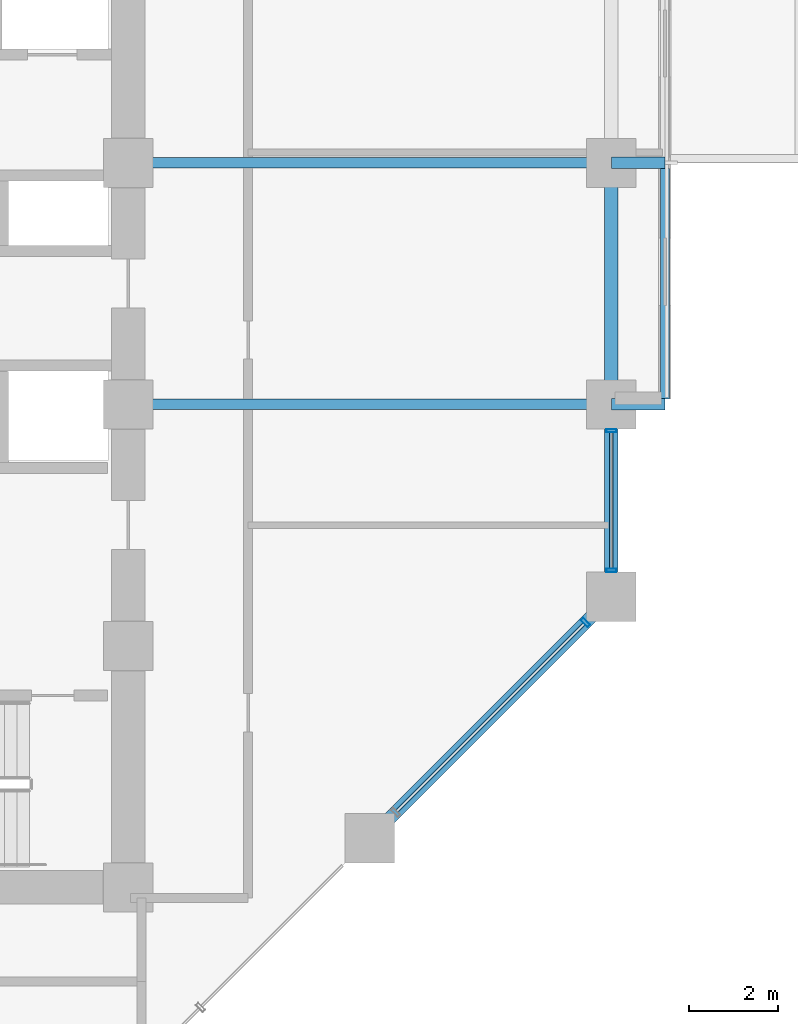
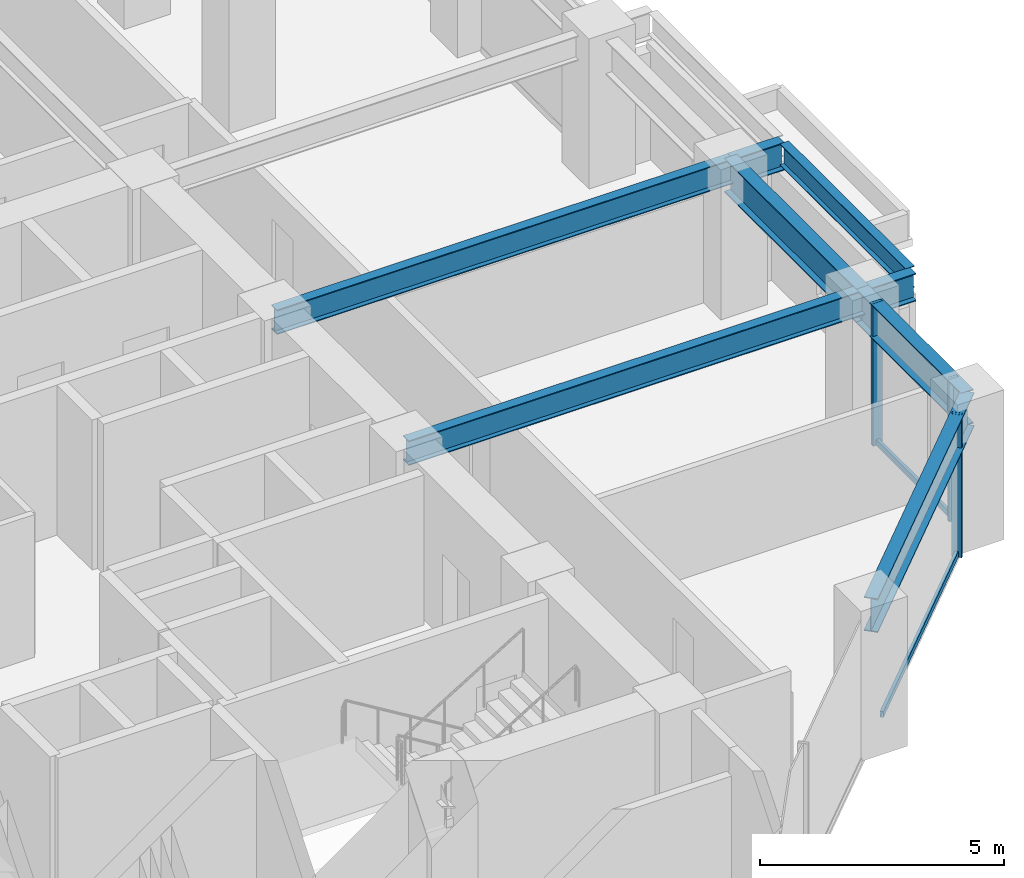
# One storey, part 8 of 25: 8 beams, 5 members, 2 elements without a shape of their own.
"""IFC4 building model written with IfcOpenShell, lengths in metres."""

from ifc_helpers import new_model, si_unit, direction, frame, origin, origin_2d, place, context, subcontext, project, spatial, hollow_rectangle, i_section, extrude, material, layer, layer_set, material_profile, profile_set, type_object, element, aggregate, save


model = new_model("IFC4")

# Units and contexts
model_context = context("Model", 3, precision=1e-05, world=origin(), true_north=direction((0.0, 1.0)))
body_context = subcontext(model_context, "Body", "Model", "MODEL_VIEW")
ifc_project = project(units=[si_unit("LENGTHUNIT", "METRE"), si_unit("AREAUNIT", "SQUARE_METRE"), si_unit("VOLUMEUNIT", "CUBIC_METRE"), si_unit("PLANEANGLEUNIT", "RADIAN"), si_unit("MASSUNIT", "GRAM", prefix="KILO")], contexts=[model_context])

# Site, building, storey
site_placement = place(None, origin())
site = spatial("IfcSite", under=ifc_project, at=site_placement, CompositionType="ELEMENT")
building_placement = place(site_placement, origin())
building = spatial("IfcBuilding", under=site, at=building_placement, Name="Surkhivell Harbour Commons", CompositionType="ELEMENT")
storey_placement = place(building_placement, frame((0.0, 0.0, 94.5)))
storey = spatial("IfcBuildingStorey", under=building, at=storey_placement, Name="L24", CompositionType="ELEMENT", Elevation=94.5)

# Beams
ifc_material_1 = material(Name="Steel S460", Category="steel")
ifc_material_profile_1 = material_profile(ifc_material_1, i_section(OverallWidth=0.256103515625, OverallDepth=0.693115234375, WebThickness=0.014404296875, FlangeThickness=0.023681640625, at=origin_2d()), Name="UB686x254x170")
ifc_profile_set_1 = profile_set([ifc_material_profile_1], Name="Steel S460")
beam_type_1 = type_object("IfcBeamType", Name="BM-CNT-686", PredefinedType="BEAM", material=ifc_profile_set_1)
for number, where, z_axis, x_axis, name in (
    (1, (21.60009765625, 0.0, 3.223388671875), (1.0, 0.0, 0.0), (0.0, 1.0, 0.0), "L24 Box Cantilever Outrigger (21.6,0.0)"),
    (2, (21.60009765625, 5.39990234375, 3.223388671875), (1.0, 0.0, 0.0), (0.0, 1.0, 0.0), "L24 Box Cantilever Outrigger (21.6,5.4)"),
):
    element("IfcBeam", number, at=place(storey_placement, frame(where, z_axis=z_axis, x_axis=x_axis)), inside=storey, type_object=beam_type_1, Name=name, PredefinedType="BEAM", context=body_context, shape_type="SweptSolid", body=[
        extrude(i_section(OverallWidth=0.256103515625, OverallDepth=0.693115234375, WebThickness=0.014404296875, FlangeThickness=0.023681640625, at=origin_2d()), origin(), (0.0, 0.0, 1.0), 1.199951171875),
    ])
ifc_material_2 = material(Name="Steel S355", Category="steel")
ifc_material_profile_2 = material_profile(ifc_material_2, i_section(OverallWidth=0.2099609375, OverallDepth=0.537109375, WebThickness=0.0107421875, FlangeThickness=0.017333984375, at=origin_2d()), Name="UB533x210x101")
ifc_profile_set_2 = profile_set([ifc_material_profile_2], Name="Steel S355")
beam_type_2 = type_object("IfcBeamType", Name="BM-GRD-533B", PredefinedType="BEAM", material=ifc_profile_set_2)
beam_1_placement = place(storey_placement, frame((22.800048828125, 0.1220703125, 3.301513671875), z_axis=(0.0, 1.0, 0.0), x_axis=(-1.0, 0.0, 0.0)))
element("IfcBeam", 3, at=beam_1_placement, inside=storey, type_object=beam_type_2, Name="L24 Box Rim Spandrel (22.8,0.0)", PredefinedType="BEAM", context=body_context, shape_type="SweptSolid", body=[
    extrude(i_section(OverallWidth=0.2099609375, OverallDepth=0.537109375, WebThickness=0.0107421875, FlangeThickness=0.017333984375, at=origin_2d()), origin(), (0.0, 0.0, 1.0), 5.156005859375),
])
ifc_material_profile_3 = material_profile(ifc_material_2, i_section(OverallWidth=0.22998046875, OverallDepth=0.616943359375, WebThickness=0.01318359375, FlangeThickness=0.022216796875, at=origin_2d()), Name="UB610x229x140")
ifc_profile_set_3 = profile_set([ifc_material_profile_3], Name="Steel S355")
beam_type_3 = type_object("IfcBeamType", Name="BM-GRD-610B", PredefinedType="BEAM", material=ifc_profile_set_3)
for number, where, z_axis, x_axis, name in (
    (4, (10.800048828125, 0.0, 3.261474609375), (1.0, 0.0, 0.0), (0.0, 1.0, 0.0), "L24 Floor Girder (10.8,0.0)"),
    (5, (10.800048828125, 5.39990234375, 3.261474609375), (1.0, 0.0, 0.0), (0.0, 1.0, 0.0), "L24 Floor Girder (10.8,5.4)"),
):
    element("IfcBeam", number, at=place(storey_placement, frame(where, z_axis=z_axis, x_axis=x_axis)), inside=storey, type_object=beam_type_3, Name=name, PredefinedType="BEAM", context=body_context, shape_type="SweptSolid", body=[
        extrude(i_section(OverallWidth=0.22998046875, OverallDepth=0.616943359375, WebThickness=0.01318359375, FlangeThickness=0.022216796875, at=origin_2d()), origin(), (0.0, 0.0, 1.0), 10.800048828125),
    ])
ifc_material_profile_4 = material_profile(ifc_material_1, i_section(OverallWidth=0.2939453125, OverallDepth=0.85107421875, WebThickness=0.01611328125, FlangeThickness=0.02685546875, at=origin_2d()), Name="UB838x292x226")
ifc_profile_set_4 = profile_set([ifc_material_profile_4], Name="Steel S460")
beam_type_4 = type_object("IfcBeamType", Name="BM-SPN-838", PredefinedType="SPANDREL", material=ifc_profile_set_4)
beam_2_placement = place(storey_placement, frame((16.199951171875, -9.699951171875, 3.14453125), z_axis=(0.707122765516, 0.707090796496, 0.0), x_axis=(-0.707090796496, 0.707122765516, 0.0)))
element("IfcBeam", 6, at=beam_2_placement, inside=storey, type_object=beam_type_4, Name="L24 Tube Spandrel (16.2,-9.7)", PredefinedType="SPANDREL", context=body_context, shape_type="SweptSolid", body=[
    extrude(i_section(OverallWidth=0.2939453125, OverallDepth=0.85107421875, WebThickness=0.01611328125, FlangeThickness=0.02685546875, at=origin_2d()), origin(), (0.0, 0.0, 1.0), 7.63671875),
])
beam_3_placement = place(storey_placement, frame((21.60009765625, -4.300048828125, 3.14453125), z_axis=(0.0, 1.0, 0.0), x_axis=(-1.0, 0.0, 0.0)))
element("IfcBeam", 7, at=beam_3_placement, inside=storey, type_object=beam_type_4, Name="L24 Tube Spandrel (21.6,-4.3)", PredefinedType="SPANDREL", context=body_context, shape_type="SweptSolid", body=[
    extrude(i_section(OverallWidth=0.2939453125, OverallDepth=0.85107421875, WebThickness=0.01611328125, FlangeThickness=0.02685546875, at=origin_2d()), origin(), (0.0, 0.0, 1.0), 4.300048828125),
])
beam_4_placement = place(storey_placement, frame((21.60009765625, 0.0, 3.14453125), z_axis=(0.0, 1.0, 0.0), x_axis=(-1.0, 0.0, 0.0)))
element("IfcBeam", 8, at=beam_4_placement, inside=storey, type_object=beam_type_4, Name="L24 Tube Spandrel (21.6,0.0)", PredefinedType="SPANDREL", context=body_context, shape_type="SweptSolid", body=[
    extrude(i_section(OverallWidth=0.2939453125, OverallDepth=0.85107421875, WebThickness=0.01611328125, FlangeThickness=0.02685546875, at=origin_2d()), origin(), (0.0, 0.0, 1.0), 5.39990234375),
])

# Curtain wall, member
ifc_material_3 = material(Name="Anodised pale-metal aluminium and insulated glazing", Category="aluminium")
ifc_layer = layer(ifc_material_3, 0.205078125)
ifc_layer_set = layer_set([ifc_layer], Name="Anodised pale-metal aluminium and insulated glazing")
curtain_wall_type = type_object("IfcCurtainWallType", Name="CW-SYS-Z2", PredefinedType="NOTDEFINED", material=ifc_layer_set)
curtain_wall_1_placement = place(storey_placement, origin())
curtain_wall_1 = element("IfcCurtainWall", 9, at=curtain_wall_1_placement, inside=storey, type_object=curtain_wall_type, Name="L24 Curtain Wall CW-L24-E01", PredefinedType="NOTDEFINED")
ifc_material_4 = material(Name="Anodised pale-metal aluminium alloy 6063-T6", Category="aluminium")
ifc_material_profile_5 = material_profile(ifc_material_4, hollow_rectangle(XDim=0.074951171875, YDim=0.219970703125, WallThickness=0.00390625, at=origin_2d()), Name="ALU-MULL-75x220")
ifc_profile_set_5 = profile_set([ifc_material_profile_5], Name="Anodised pale-metal aluminium alloy 6063-T6")
member_type_1 = type_object("IfcMemberType", Name="CWM-220", PredefinedType="MULLION", material=ifc_profile_set_5)
member_1_placement = place(storey_placement, frame((21.021728515625, -4.878173828125, 0.0), z_axis=(0.0, 0.0, 1.0), x_axis=(0.707106781187, 0.707106781187, 0.0)))
member_1 = element("IfcMember", 10, at=member_1_placement, type_object=member_type_1, Name="CW-Z2 mullion 6", PredefinedType="MULLION", context=body_context, shape_type="SweptSolid", body=[
    extrude(hollow_rectangle(XDim=0.074951171875, YDim=0.219970703125, WallThickness=0.00390625, at=origin_2d()), origin(), (0.0, 0.0, 1.0), 3.570068359375),
])

# Curtain wall, members
curtain_wall_2_placement = place(storey_placement, origin())
curtain_wall_2 = element("IfcCurtainWall", 11, at=curtain_wall_2_placement, inside=storey, type_object=curtain_wall_type, Name="L24 Curtain Wall CW-L24-E02R1", PredefinedType="NOTDEFINED")
member_2_placement = place(storey_placement, frame((21.60009765625, -3.71044921875, 0.0), z_axis=(0.0, 0.0, 1.0), x_axis=(0.0, 1.0, 0.0)))
member_2 = element("IfcMember", 12, at=member_2_placement, type_object=member_type_1, Name="CW-Z2 mullion 1", PredefinedType="MULLION", context=body_context, shape_type="SweptSolid", body=[
    extrude(hollow_rectangle(XDim=0.074951171875, YDim=0.219970703125, WallThickness=0.00390625, at=origin_2d()), origin(), (0.0, 0.0, 1.0), 3.570068359375),
])
member_3_placement = place(storey_placement, frame((21.60009765625, -0.589599609375, 0.0), z_axis=(0.0, 0.0, 1.0), x_axis=(0.0, 1.0, 0.0)))
member_3 = element("IfcMember", 13, at=member_3_placement, type_object=member_type_1, Name="CW-Z2 mullion 2", PredefinedType="MULLION", context=body_context, shape_type="SweptSolid", body=[
    extrude(hollow_rectangle(XDim=0.074951171875, YDim=0.219970703125, WallThickness=0.00390625, at=origin_2d()), origin(), (0.0, 0.0, 1.0), 3.570068359375),
])

# Member
ifc_material_profile_6 = material_profile(ifc_material_4, hollow_rectangle(XDim=0.074951171875, YDim=0.14990234375, WallThickness=0.00341796875, at=origin_2d()), Name="ALU-TRAN-75x150")
ifc_profile_set_6 = profile_set([ifc_material_profile_6], Name="Anodised pale-metal aluminium alloy 6063-T6")
member_type_2 = type_object("IfcMemberType", Name="CWT-150", PredefinedType="USERDEFINED", material=ifc_profile_set_6)
member_4_placement = place(storey_placement, frame((16.8046875, -9.09521484375, 0.074951171875), z_axis=(0.707127378829, 0.707086182944, 0.0), x_axis=(-0.707086182944, 0.707127378829, 0.0)))
member_4 = element("IfcMember", 14, at=member_4_placement, type_object=member_type_2, Name="CW-Z2 transom 5.1", ObjectType="TRANSOM", PredefinedType="USERDEFINED", context=body_context, shape_type="SweptSolid", body=[
    extrude(hollow_rectangle(XDim=0.074951171875, YDim=0.14990234375, WallThickness=0.00341796875, at=origin_2d()), origin(), (0.0, 0.0, 1.0), 5.92626953125),
])

aggregate(curtain_wall_1, [member_1, member_4])

member_5_placement = place(storey_placement, frame((21.60009765625, -3.673095703125, 0.074951171875), z_axis=(0.0, 1.0, 0.0), x_axis=(-1.0, 0.0, 0.0)))
member_5 = element("IfcMember", 15, at=member_5_placement, type_object=member_type_2, Name="CW-Z2 transom 1.1", ObjectType="TRANSOM", PredefinedType="USERDEFINED", context=body_context, shape_type="SweptSolid", body=[
    extrude(hollow_rectangle(XDim=0.074951171875, YDim=0.14990234375, WallThickness=0.00341796875, at=origin_2d()), origin(), (0.0, 0.0, 1.0), 3.046142578125),
])

aggregate(curtain_wall_2, [member_2, member_3, member_5])

save(model, "model.ifc")
